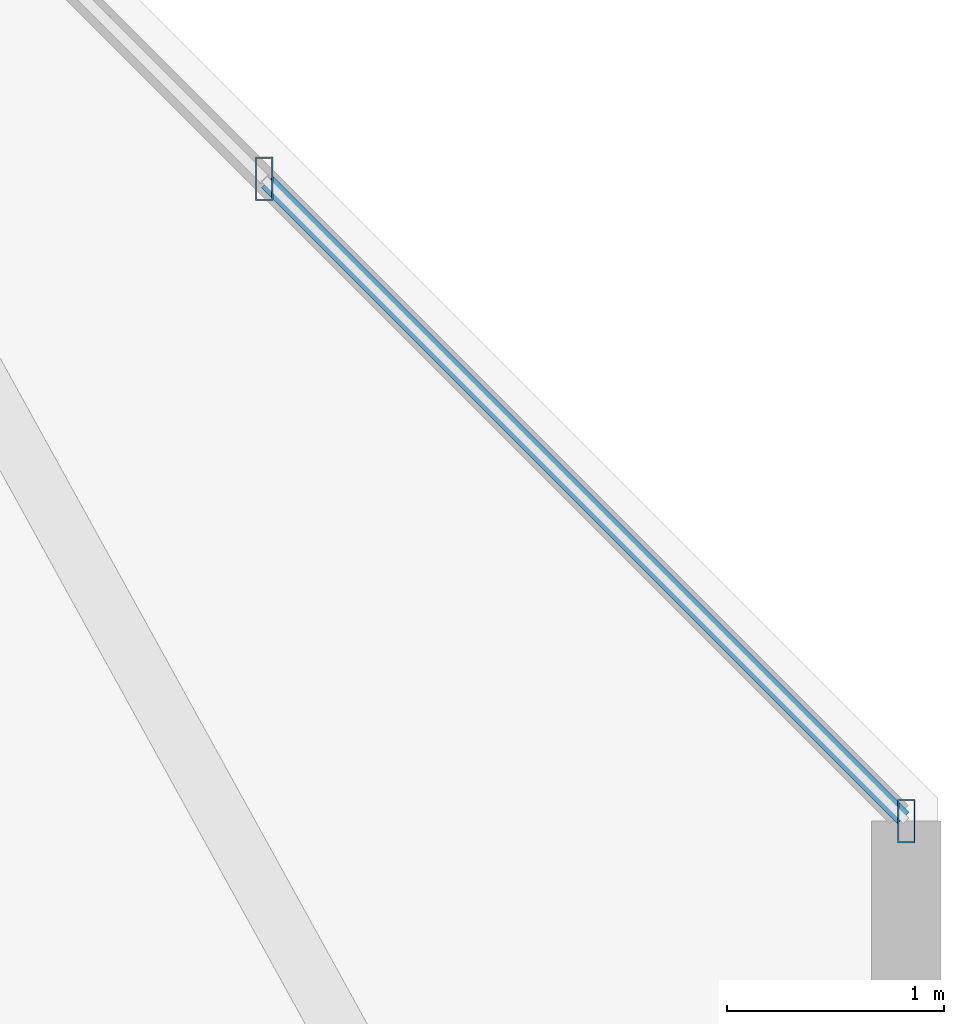
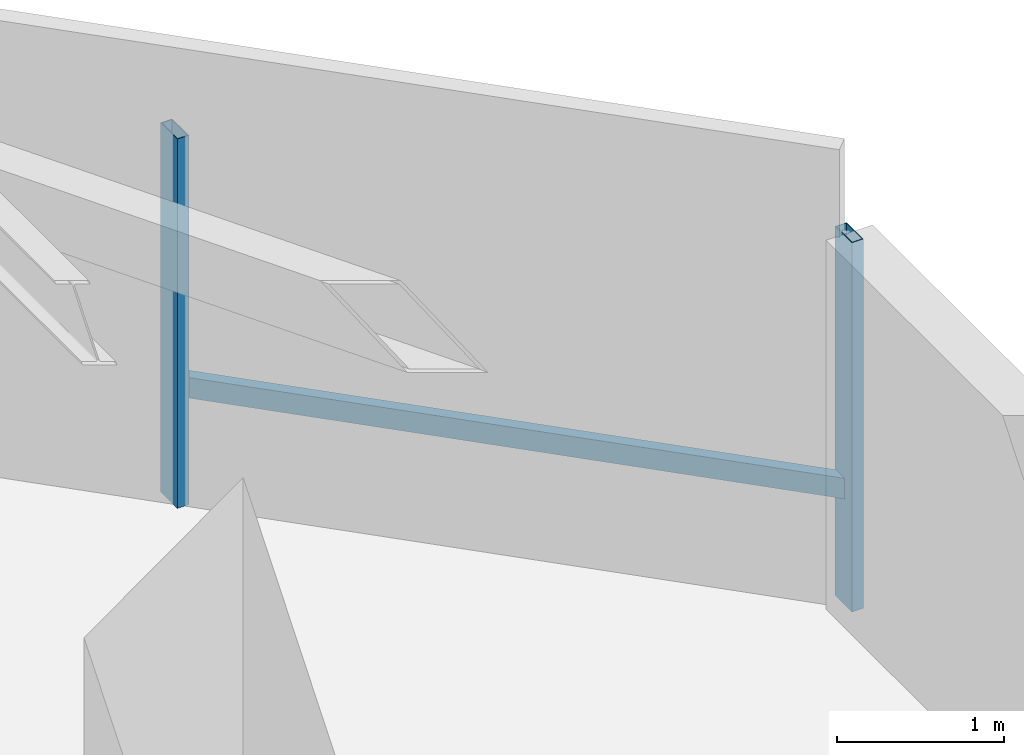
# One storey, part 17 of 32: 3 members, 1 element without a shape of its own.
"""IFC4 building model written with IfcOpenShell, lengths in metres."""

from ifc_helpers import new_model, si_unit, direction, frame, origin, origin_2d, place, context, subcontext, project, spatial, hollow_rectangle, extrude, material, material_profile, profile_set, type_object, element, aggregate, save


model = new_model("IFC4")

# Units and contexts
model_context = context("Model", 3, precision=1e-05, world=origin(), true_north=direction((0.0, 1.0)))
body_context = subcontext(model_context, "Body", "Model", "MODEL_VIEW")
ifc_project = project(units=[si_unit("LENGTHUNIT", "METRE"), si_unit("AREAUNIT", "SQUARE_METRE"), si_unit("VOLUMEUNIT", "CUBIC_METRE"), si_unit("PLANEANGLEUNIT", "RADIAN"), si_unit("MASSUNIT", "GRAM", prefix="KILO")], contexts=[model_context])

# Site, building, storey
site_placement = place(None, origin())
site = spatial("IfcSite", under=ifc_project, at=site_placement, CompositionType="ELEMENT")
building_placement = place(site_placement, origin())
building = spatial("IfcBuilding", under=site, at=building_placement, Name="Thornwick Lancets Civic Towers", CompositionType="ELEMENT")
storey_placement = place(building_placement, frame((0.0, 0.0, 178.5)))
storey = spatial("IfcBuildingStorey", under=building, at=storey_placement, Name="L47", CompositionType="ELEMENT", Elevation=178.5)

# Curtain wall, members
ifc_material_1 = material(Name="Mid-zone chamfered-corner unitised glass curtain wall", Category="glass")
curtain_wall_type = type_object("IfcCurtainWallType", Name="CW_SYS_04", PredefinedType="NOTDEFINED", material=ifc_material_1)
curtain_wall_placement = place(storey_placement, origin())
curtain_wall = element("IfcCurtainWall", 1, at=curtain_wall_placement, inside=storey, type_object=curtain_wall_type, Name="L47 Curtain Wall CW-L47-B-E3", PredefinedType="NOTDEFINED")
ifc_material_2 = material(Name="Thermally broken bronze aluminium S355", Category="steel")
ifc_material_profile_1 = material_profile(ifc_material_2, hollow_rectangle(XDim=0.080078125, YDim=0.199951171875, WallThickness=0.006103515625, at=origin_2d()), Name="RHS 200x80x6")
ifc_profile_set_1 = profile_set([ifc_material_profile_1], Name="Thermally broken bronze aluminium S355")
member_type_1 = type_object("IfcMemberType", Name="CW_MUL_200", PredefinedType="MULLION", material=ifc_profile_set_1)
member_1_placement = place(storey_placement, frame((106.253662109375, 44.872314453125, 0.0), z_axis=(0.0, 0.0, 1.0), x_axis=(1.0, 0.0, 0.0)))
member_1 = element("IfcMember", 2, at=member_1_placement, type_object=member_type_1, Name="CW-L47-B-E3 Mullion 0", PredefinedType="MULLION", context=body_context, shape_type="SweptSolid", body=[
    extrude(hollow_rectangle(XDim=0.080078125, YDim=0.199951171875, WallThickness=0.006103515625, at=origin_2d()), origin(), (0.0, 0.0, 1.0), 2.699951171875),
])
member_2_placement = place(storey_placement, frame((103.296875, 47.8291015625, 0.0), z_axis=(0.0, 0.0, 1.0), x_axis=(1.0, 0.0, 0.0)))
member_2 = element("IfcMember", 3, at=member_2_placement, type_object=member_type_1, Name="CW-L47-B-E3 Mullion 1", PredefinedType="MULLION", context=body_context, shape_type="SweptSolid", body=[
    extrude(hollow_rectangle(XDim=0.080078125, YDim=0.199951171875, WallThickness=0.006103515625, at=origin_2d()), origin(), (0.0, 0.0, 1.0), 2.699951171875),
])
ifc_material_profile_2 = material_profile(ifc_material_2, hollow_rectangle(XDim=0.074951171875, YDim=0.14990234375, WallThickness=0.0048828125, at=origin_2d()), Name="RHS 150x75x5")
ifc_profile_set_2 = profile_set([ifc_material_profile_2], Name="Thermally broken bronze aluminium S355")
member_type_2 = type_object("IfcMemberType", Name="CW_TRN_150", PredefinedType="USERDEFINED", material=ifc_profile_set_2)
member_3_placement = place(storey_placement, frame((106.239501953125, 44.88623046875, 0.85009765625), z_axis=(-0.707077306737, 0.707136254407, 0.0), x_axis=(-0.707136254407, -0.707077306737, 0.0)))
member_3 = element("IfcMember", 4, at=member_3_placement, type_object=member_type_2, Name="CW-L47-B-E3 Transom 0", ObjectType="TRANSOM", PredefinedType="USERDEFINED", context=body_context, shape_type="SweptSolid", body=[
    extrude(hollow_rectangle(XDim=0.074951171875, YDim=0.14990234375, WallThickness=0.0048828125, at=origin_2d()), origin(), (0.0, 0.0, 1.0), 4.1416015625),
])
aggregate(curtain_wall, [member_1, member_2, member_3])

save(model, "model.ifc")
